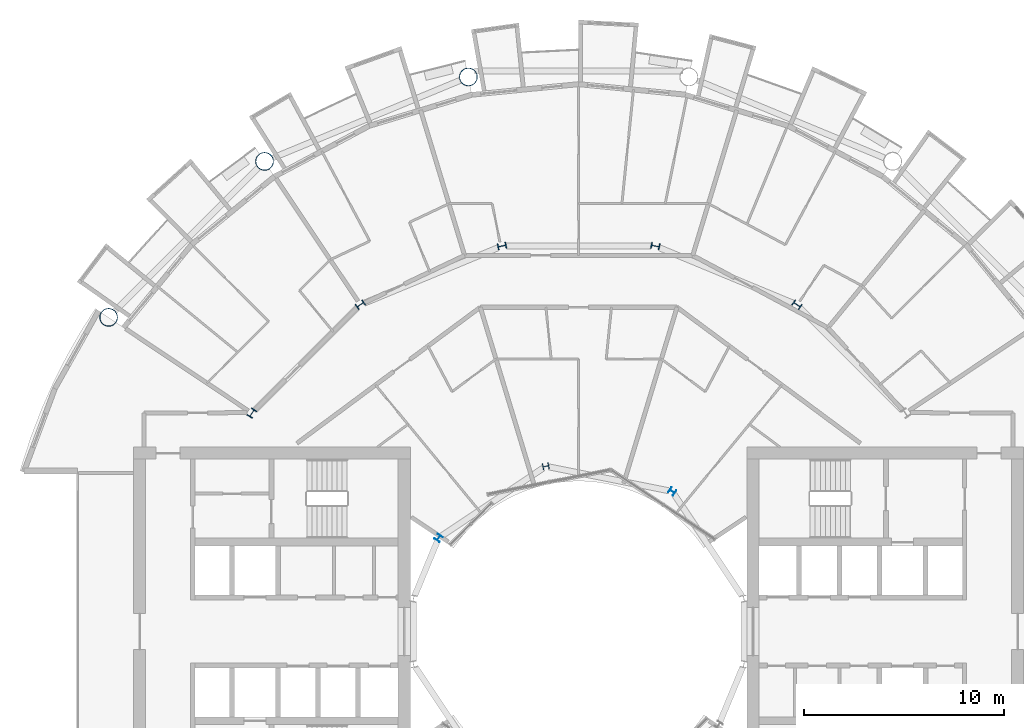
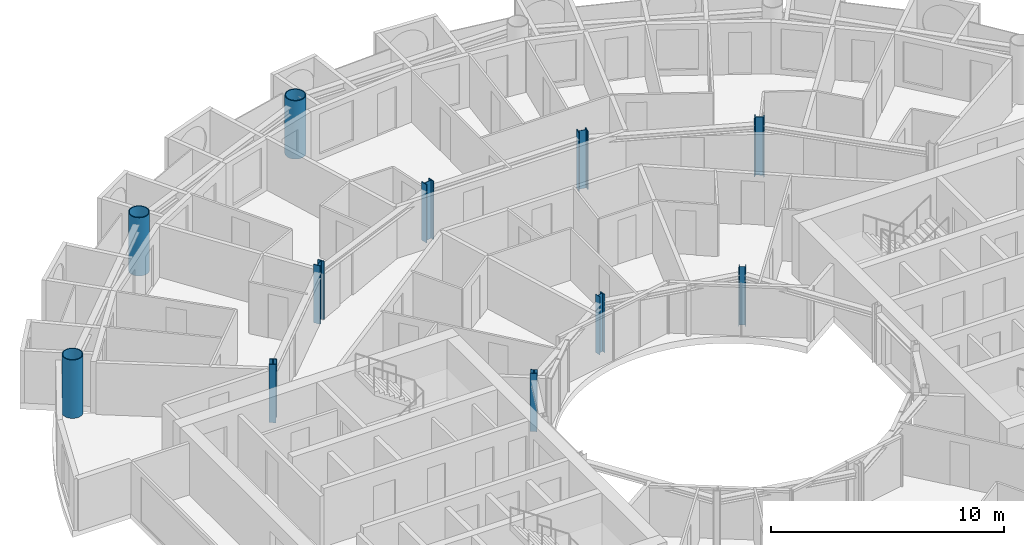
# One storey, part 3 of 27: 11 columns.
"""IFC4 building model written with IfcOpenShell, lengths in metres."""

from ifc_helpers import new_model, si_unit, direction, frame, origin, origin_2d, place, context, subcontext, project, spatial, hollow_circle, i_section, extrude, material, material_profile, profile_set, type_object, element, save


model = new_model("IFC4")

# Units and contexts
model_context = context("Model", 3, precision=1e-05, world=origin(), true_north=direction((0.0, 1.0)))
body_context = subcontext(model_context, "Body", "Model", "MODEL_VIEW")
ifc_project = project(units=[si_unit("LENGTHUNIT", "METRE"), si_unit("AREAUNIT", "SQUARE_METRE"), si_unit("VOLUMEUNIT", "CUBIC_METRE"), si_unit("PLANEANGLEUNIT", "RADIAN"), si_unit("MASSUNIT", "GRAM", prefix="KILO")], contexts=[model_context])

# Site, building, storey
site_placement = place(None, origin())
site = spatial("IfcSite", under=ifc_project, at=site_placement, CompositionType="ELEMENT")
building_placement = place(site_placement, origin())
building = spatial("IfcBuilding", under=site, at=building_placement, Name="Maasbend Ring Residences", CompositionType="ELEMENT")
storey_placement = place(building_placement, frame((0.0, 0.0, 120.800048828125)))
storey = spatial("IfcBuildingStorey", under=building, at=storey_placement, Name="L34", CompositionType="ELEMENT", Elevation=120.800048828125)

# Columns
ifc_material_1 = material(Name="Composite concrete-filled steel tube S460NH / C80/95", Category="concrete")
ifc_material_profile_1 = material_profile(ifc_material_1, hollow_circle(Radius=0.45703125, WallThickness=0.0400390625, at=origin_2d()), Name="Composite tube column CHS 914x40")
ifc_profile_set_1 = profile_set([ifc_material_profile_1], Name="Composite concrete-filled steel tube S460NH / C80/95")
column_type_1 = type_object("IfcColumnType", Name="Composite tube column CHS 914x40", PredefinedType="COLUMN", material=ifc_profile_set_1)
for number, where, z_axis, x_axis, name in (
    (1, (-5.50146484375, 27.658203125, 0.0), (0.0, 0.0, 1.0), (1.0, 0.0, 0.0), "Outer column R5"),
    (2, (-15.6669921875, 23.447509765625, 0.0), (0.0, 0.0, 1.0), (1.0, 0.0, 0.0), "Outer column R6"),
    (3, (-23.447509765625, 15.6669921875, 0.0), (0.0, 0.0, 1.0), (1.0, 0.0, 0.0), "Outer column R7"),
):
    element("IfcColumn", number, at=place(storey_placement, frame(where, z_axis=z_axis, x_axis=x_axis)), inside=storey, type_object=column_type_1, Name=name, PredefinedType="COLUMN", context=body_context, shape_type="SweptSolid", body=[
        extrude(hollow_circle(Radius=0.45703125, WallThickness=0.0400390625, at=origin_2d()), origin(), (0.0, 0.0, 1.0), 3.050048828125),
    ])
ifc_material_2 = material(Name="Steel S355J2", Category="steel")
ifc_material_profile_2 = material_profile(ifc_material_2, i_section(OverallWidth=0.300048828125, OverallDepth=0.300048828125, WebThickness=0.010986328125, FlangeThickness=0.01904296875, FilletRadius=0.027099609375, at=origin_2d()), Name="HEB 300")
ifc_profile_set_2 = profile_set([ifc_material_profile_2], Name="Steel S355J2")
column_type_2 = type_object("IfcColumnType", Name="Steel column HEB 300", PredefinedType="COLUMN", material=ifc_profile_set_2)
for number, where, z_axis, x_axis, name in (
    (4, (4.666748046875, 6.984375, 0.0), (0.0, 0.0, 1.0), (0.55557023302, 0.831469612303, 0.0), "Well ring column R3"),
    (5, (-1.638916015625, 8.238525390625, 0.0), (0.0, 0.0, 1.0), (-0.195090322016, 0.980785280403, 0.0), "Well ring column R5"),
    (6, (-6.984375, 4.666748046875, 0.0), (0.0, 0.0, 1.0), (-0.831469612303, 0.55557023302, 0.0), "Well ring column R7"),
):
    element("IfcColumn", number, at=place(storey_placement, frame(where, z_axis=z_axis, x_axis=x_axis)), inside=storey, type_object=column_type_2, Name=name, PredefinedType="COLUMN", context=body_context, shape_type="SweptSolid", body=[
        extrude(i_section(OverallWidth=0.300048828125, OverallDepth=0.300048828125, WebThickness=0.010986328125, FlangeThickness=0.01904296875, FilletRadius=0.027099609375, at=origin_2d()), origin(), (0.0, 0.0, 1.0), 3.050048828125),
    ])
ifc_material_3 = material(Name="Steel S460M", Category="steel")
ifc_material_profile_3 = material_profile(ifc_material_3, i_section(OverallWidth=0.306884765625, OverallDepth=0.431884765625, WebThickness=0.02099609375, FlangeThickness=0.0400390625, FilletRadius=0.027099609375, at=origin_2d()), Name="HEM 400")
ifc_profile_set_3 = profile_set([ifc_material_profile_3], Name="Steel S460M")
column_type_3 = type_object("IfcColumnType", Name="Steel column HEM 400", PredefinedType="COLUMN", material=ifc_profile_set_3)
for number, where, z_axis, x_axis, name in (
    (7, (10.88916015625, 16.296875, 0.0), (0.0, 0.0, 1.0), (0.55557023302, 0.831469612303, 0.0), "Corridor ring column R3"),
    (8, (3.82373046875, 19.223388671875, 0.0), (0.0, 0.0, 1.0), (0.195090322016, 0.980785280403, 0.0), "Corridor ring column R4"),
    (9, (-3.82373046875, 19.223388671875, 0.0), (0.0, 0.0, 1.0), (-0.195090322016, 0.980785280403, 0.0), "Corridor ring column R5"),
    (10, (-10.88916015625, 16.296875, 0.0), (0.0, 0.0, 1.0), (-0.55557023302, 0.831469612303, 0.0), "Corridor ring column R6"),
    (11, (-16.296875, 10.88916015625, 0.0), (0.0, 0.0, 1.0), (-0.831469612303, 0.55557023302, 0.0), "Corridor ring column R7"),
):
    element("IfcColumn", number, at=place(storey_placement, frame(where, z_axis=z_axis, x_axis=x_axis)), inside=storey, type_object=column_type_3, Name=name, PredefinedType="COLUMN", context=body_context, shape_type="SweptSolid", body=[
        extrude(i_section(OverallWidth=0.306884765625, OverallDepth=0.431884765625, WebThickness=0.02099609375, FlangeThickness=0.0400390625, FilletRadius=0.027099609375, at=origin_2d()), origin(), (0.0, 0.0, 1.0), 3.050048828125),
    ])

save(model, "model.ifc")
